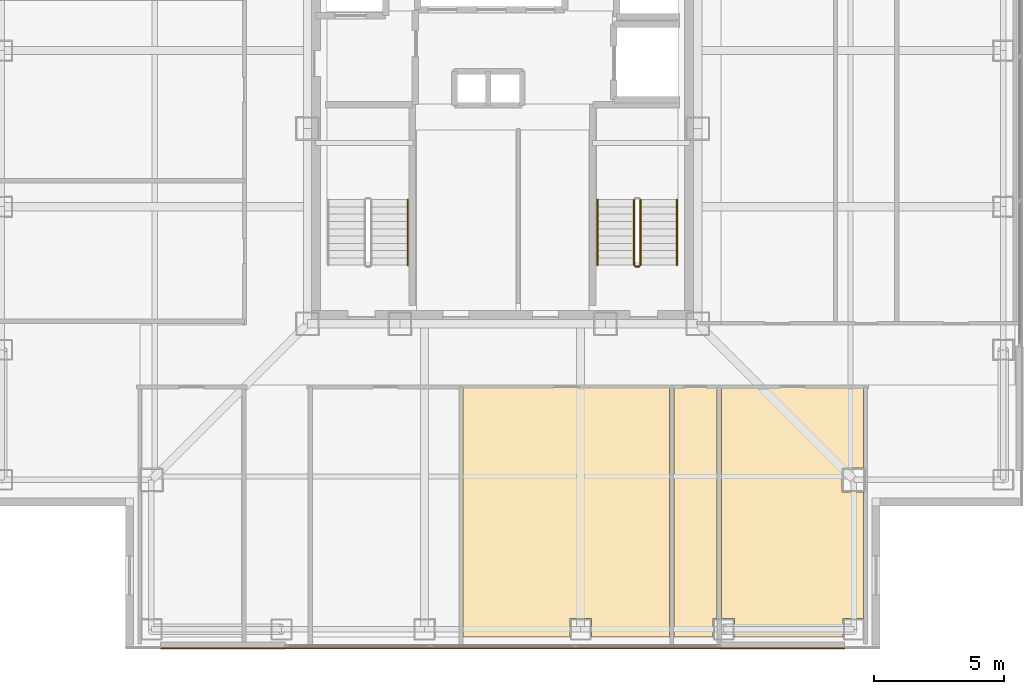
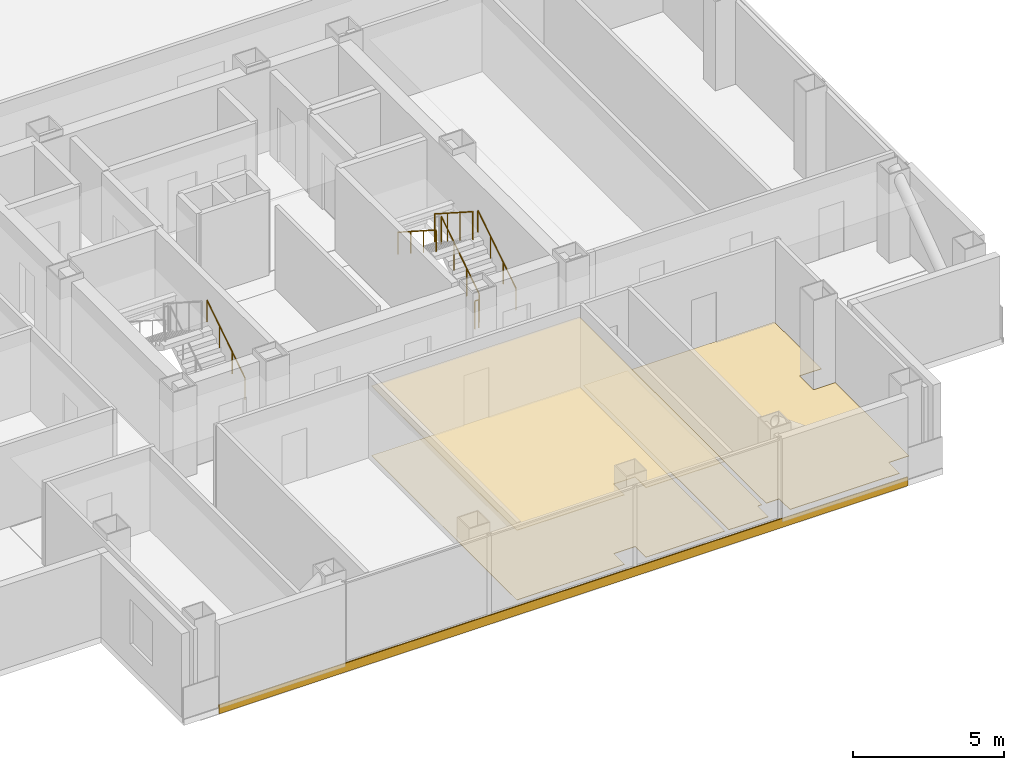
# One storey, part 13 of 17: 6 railings, 5 coverings.
"""IFC4 building model written with IfcOpenShell, lengths in metres."""

from ifc_helpers import new_model, si_unit, direction, frame, frame_2d, origin, origin_2d, place, context, subcontext, project, spatial, polyline, rectangle, circle, outline, extrude, material, layer, layer_set, type_object, element, save


model = new_model("IFC4")

# Units and contexts
model_context = context("Model", 3, precision=1e-05, world=origin(), true_north=direction((0.0, 1.0)))
body_context = subcontext(model_context, "Body", "Model", "MODEL_VIEW")
ifc_project = project(units=[si_unit("LENGTHUNIT", "METRE"), si_unit("AREAUNIT", "SQUARE_METRE"), si_unit("VOLUMEUNIT", "CUBIC_METRE"), si_unit("PLANEANGLEUNIT", "RADIAN"), si_unit("MASSUNIT", "GRAM", prefix="KILO")], contexts=[model_context])

# Site, building, storey
site_placement = place(None, origin())
site = spatial("IfcSite", under=ifc_project, at=site_placement, CompositionType="ELEMENT")
building_placement = place(site_placement, origin())
building = spatial("IfcBuilding", under=site, at=building_placement, Name="Trevonay Congress Spire", CompositionType="ELEMENT")
storey_placement = place(building_placement, frame((0.0, 0.0, 213.0)))
storey = spatial("IfcBuildingStorey", under=building, at=storey_placement, Name="L55", CompositionType="ELEMENT", Elevation=213.0)

# Coverings
ifc_material_1 = material(Name="Acoustic Mineral Fibre Board", Category="gypsum")
ifc_layer_1 = layer(ifc_material_1, 0.02490234375, Name="Acoustic Mineral Fibre Board")
ifc_layer_set_1 = layer_set([ifc_layer_1], Name="Acoustic Mineral Fibre Board")
covering_type_1 = type_object("IfcCoveringType", Name="COV-CEIL-ACOUSTIC", PredefinedType="CEILING", material=ifc_layer_set_1)
covering_1_placement = place(storey_placement, frame((0.0, 0.0, 2.81005859375)))
element("IfcCovering", 1, at=covering_1_placement, inside=storey, type_object=covering_type_1, Name="L55 Commodities Desk Office acoustic suspended ceiling", PredefinedType="CEILING", context=body_context, shape_type="SweptSolid", body=[
    extrude(outline(polyline([(-1.52001953125, -19.550048828125), (-1.52001953125, -9.929931640625), (6.419921875, -9.929931640625), (6.419921875, -19.550048828125), (3.409912109375, -19.550048828125), (3.409912109375, -18.840087890625), (2.590087890625, -18.840087890625), (2.590087890625, -19.550048828125), (-1.52001953125, -19.550048828125)])), origin(), (0.0, 0.0, 1.0), 0.02490234375),
])
ifc_material_2 = material(Name="Polished Granite Floor Tile", Category="masonry")
ifc_layer_2 = layer(ifc_material_2, 0.02001953125, Name="Polished Granite Floor Tile")
ifc_layer_set_2 = layer_set([ifc_layer_2], Name="Polished Granite Floor Tile")
covering_type_2 = type_object("IfcCoveringType", Name="COV-FLOOR-STONE", PredefinedType="FLOORING", material=ifc_layer_set_2)
covering_2_placement = place(storey_placement, origin())
element("IfcCovering", 2, at=covering_2_placement, inside=storey, type_object=covering_type_2, Name="L55 Accessible WC floor finish", PredefinedType="FLOORING", context=body_context, shape_type="SweptSolid", body=[
    extrude(outline(polyline([(6.580078125, -19.550048828125), (6.580078125, -9.929931640625), (8.25, -9.929931640625), (8.25, -18.840087890625), (8.090087890625, -18.840087890625), (8.090087890625, -19.550048828125), (6.580078125, -19.550048828125)])), origin(), (0.0, 0.0, 1.0), 0.02001953125),
])
covering_3_placement = place(storey_placement, origin())
element("IfcCovering", 3, at=covering_3_placement, inside=storey, type_object=covering_type_2, Name="L55 Floor Supplies and Copy Room floor finish", PredefinedType="FLOORING", context=body_context, shape_type="SweptSolid", body=[
    extrude(outline(polyline([(8.909912109375, -19.550048828125), (8.909912109375, -18.840087890625), (8.409912109375, -18.840087890625), (8.409912109375, -9.929931640625), (13.8701171875, -9.929931640625), (13.8701171875, -13.0400390625), (13.0400390625, -13.0400390625), (13.0400390625, -13.9599609375), (13.8701171875, -13.9599609375), (13.8701171875, -18.840087890625), (13.090087890625, -18.840087890625), (13.090087890625, -19.550048828125), (8.909912109375, -19.550048828125)])), origin(), (0.0, 0.0, 1.0), 0.02001953125),
])
ifc_material_3 = material(Name="Engineered Oak Flooring", Category="wood")
ifc_layer_3 = layer(ifc_material_3, 0.01806640625, Name="Engineered Oak Flooring")
ifc_layer_set_3 = layer_set([ifc_layer_3], Name="Engineered Oak Flooring")
covering_type_3 = type_object("IfcCoveringType", Name="COV-FLOOR-TIMBER", PredefinedType="FLOORING", material=ifc_layer_set_3)
covering_4_placement = place(storey_placement, origin())
element("IfcCovering", 4, at=covering_4_placement, inside=storey, type_object=covering_type_3, Name="L55 Commodities Desk Office floor finish", PredefinedType="FLOORING", context=body_context, shape_type="SweptSolid", body=[
    extrude(outline(polyline([(-1.52001953125, -19.550048828125), (-1.52001953125, -9.929931640625), (6.419921875, -9.929931640625), (6.419921875, -19.550048828125), (3.409912109375, -19.550048828125), (3.409912109375, -18.840087890625), (2.590087890625, -18.840087890625), (2.590087890625, -19.550048828125), (-1.52001953125, -19.550048828125)])), origin(), (0.0, 0.0, 1.0), 0.01806640625),
])
ifc_material_4 = material(Name="Pale Anodised Aluminium EN AW-6063-T6", Category="aluminium")
ifc_layer_4 = layer(ifc_material_4, 0.0400390625, Name="Pale Anodised Aluminium EN AW-6063-T6")
ifc_layer_set_4 = layer_set([ifc_layer_4], Name="Pale Anodised Aluminium EN AW-6063-T6")
covering_type_4 = type_object("IfcCoveringType", Name="COV-SPANDREL-PALE-METAL", PredefinedType="CLADDING", material=ifc_layer_set_4)
covering_5_placement = place(storey_placement, frame((-13.14990234375, -19.97998046875, -0.239990234375), z_axis=(0.0, 0.0, 1.0), x_axis=(1.0, 0.0, 0.0)))
element("IfcCovering", 5, at=covering_5_placement, inside=storey, type_object=covering_type_4, Name="L55 S pale-metal slab-edge spandrel cladding", PredefinedType="CLADDING", context=body_context, shape_type="SweptSolid", body=[
    extrude(rectangle(XDim=26.2998046875, YDim=0.0400390625, at=frame_2d((13.14990234375, 0.0))), origin(), (0.0, 0.0, 1.0), 0.360107421875),
])

# Railings
railing_type_1 = type_object("IfcRailingType", Name="RAL-STAIR-GUARD-110", PredefinedType="GUARDRAIL", material=ifc_material_4)
railing_1_placement = place(storey_placement, frame((5.300048828125, -5.25, 0.179931640625)))
element("IfcRailing", 6, at=railing_1_placement, inside=storey, type_object=railing_type_1, Name="L55 ST-2 stair guard 1", PredefinedType="GUARDRAIL", context=body_context, shape_type="SweptSolid", body=[
    extrude(circle(Radius=0.02392578125, at=origin_2d()), frame((0.0, 0.0, 1.1259765625), z_axis=(0.0, 0.841162588446, 0.540782303519), x_axis=(-1.0, 0.0, 0.0)), (0.0, 0.0, 1.0), 2.995849609375),
    extrude(circle(Radius=0.02099609375, at=origin_2d()), origin(), (0.0, 0.0, 1.0), 1.101806640625),
    extrude(circle(Radius=0.02099609375, at=origin_2d()), frame((0.0, 0.840087890625, 0.5400390625)), (0.0, 0.0, 1.0), 1.101806640625),
    extrude(circle(Radius=0.02099609375, at=origin_2d()), frame((0.0, 1.679931640625, 1.080078125)), (0.0, 0.0, 1.0), 1.101806640625),
    extrude(circle(Radius=0.02099609375, at=origin_2d()), frame((0.0, 2.52001953125, 1.6201171875)), (0.0, 0.0, 1.0), 1.101806640625),
])
railing_2_placement = place(storey_placement, frame((5.050048828125, -2.72998046875, 1.97998046875)))
element("IfcRailing", 7, at=railing_2_placement, inside=storey, type_object=railing_type_1, Name="L55 ST-2 stair guard 3", PredefinedType="GUARDRAIL", context=body_context, shape_type="SweptSolid", body=[
    extrude(circle(Radius=0.02392578125, at=origin_2d()), frame((0.0, 0.0, 1.1259765625), z_axis=(0.0, -0.841162588446, 0.540782303519), x_axis=(1.0, 0.0, 0.0)), (0.0, 0.0, 1.0), 2.995849609375),
    extrude(circle(Radius=0.02099609375, at=origin_2d()), origin(), (0.0, 0.0, 1.0), 1.101806640625),
    extrude(circle(Radius=0.02099609375, at=origin_2d()), frame((0.0, -0.840087890625, 0.5400390625)), (0.0, 0.0, 1.0), 1.101806640625),
    extrude(circle(Radius=0.02099609375, at=origin_2d()), frame((0.0, -1.679931640625, 1.080078125)), (0.0, 0.0, 1.0), 1.101806640625),
    extrude(circle(Radius=0.02099609375, at=origin_2d()), frame((0.0, -2.52001953125, 1.6201171875)), (0.0, 0.0, 1.0), 1.101806640625),
])
railing_3_placement = place(storey_placement, frame((5.25, -5.300048828125, 0.0)))
element("IfcRailing", 8, at=railing_3_placement, inside=storey, type_object=railing_type_1, Name="L55 ST-2 stair guard 4", PredefinedType="GUARDRAIL", context=body_context, shape_type="SweptSolid", body=[
    extrude(circle(Radius=0.02392578125, at=origin_2d()), frame((0.0, 0.0, 1.1259765625), z_axis=(-1.0, 0.0, 0.0), x_axis=(0.0, -1.0, 0.0)), (0.0, 0.0, 1.0), 0.14990234375),
    extrude(circle(Radius=0.02099609375, at=origin_2d()), origin(), (0.0, 0.0, 1.0), 1.101806640625),
    extrude(circle(Radius=0.02099609375, at=origin_2d()), frame((-0.14990234375, 0.0, 0.0)), (0.0, 0.0, 1.0), 1.101806640625),
])
railing_type_2 = type_object("IfcRailingType", Name="RAL-STAIR-HANDRAIL", PredefinedType="HANDRAIL", material=ifc_material_4)
for number, where, name in (
    (9, (-3.64990234375, -5.25, 0.179931640625), "L55 ST-1 stair handrail 1"),
    (10, (6.699951171875, -5.25, 0.179931640625), "L55 ST-2 stair handrail 1"),
):
    element("IfcRailing", number, at=place(storey_placement, frame(where)), inside=storey, type_object=railing_type_2, Name=name, PredefinedType="HANDRAIL", context=body_context, shape_type="SweptSolid", body=[
        extrude(circle(Radius=0.02392578125, at=origin_2d()), frame((0.0, 0.0, 0.8759765625), z_axis=(0.0, 0.841162588446, 0.540782303519), x_axis=(-1.0, 0.0, 0.0)), (0.0, 0.0, 1.0), 2.995849609375),
        extrude(circle(Radius=0.02099609375, at=origin_2d()), origin(), (0.0, 0.0, 1.0), 0.851806640625),
        extrude(circle(Radius=0.02099609375, at=origin_2d()), frame((0.0, 0.840087890625, 0.5400390625)), (0.0, 0.0, 1.0), 0.851806640625),
        extrude(circle(Radius=0.02099609375, at=origin_2d()), frame((0.0, 1.679931640625, 1.080078125)), (0.0, 0.0, 1.0), 0.851806640625),
        extrude(circle(Radius=0.02099609375, at=origin_2d()), frame((0.0, 2.52001953125, 1.6201171875)), (0.0, 0.0, 1.0), 0.851806640625),
    ])
railing_4_placement = place(storey_placement, frame((3.64990234375, -2.72998046875, 1.97998046875)))
element("IfcRailing", 11, at=railing_4_placement, inside=storey, type_object=railing_type_2, Name="L55 ST-2 stair handrail 2", PredefinedType="HANDRAIL", context=body_context, shape_type="SweptSolid", body=[
    extrude(circle(Radius=0.02392578125, at=origin_2d()), frame((0.0, 0.0, 0.8759765625), z_axis=(0.0, -0.841162588446, 0.540782303519), x_axis=(1.0, 0.0, 0.0)), (0.0, 0.0, 1.0), 2.995849609375),
    extrude(circle(Radius=0.02099609375, at=origin_2d()), origin(), (0.0, 0.0, 1.0), 0.851806640625),
    extrude(circle(Radius=0.02099609375, at=origin_2d()), frame((0.0, -0.840087890625, 0.5400390625)), (0.0, 0.0, 1.0), 0.851806640625),
    extrude(circle(Radius=0.02099609375, at=origin_2d()), frame((0.0, -1.679931640625, 1.080078125)), (0.0, 0.0, 1.0), 0.851806640625),
    extrude(circle(Radius=0.02099609375, at=origin_2d()), frame((0.0, -2.52001953125, 1.6201171875)), (0.0, 0.0, 1.0), 0.851806640625),
])

save(model, "model.ifc")
